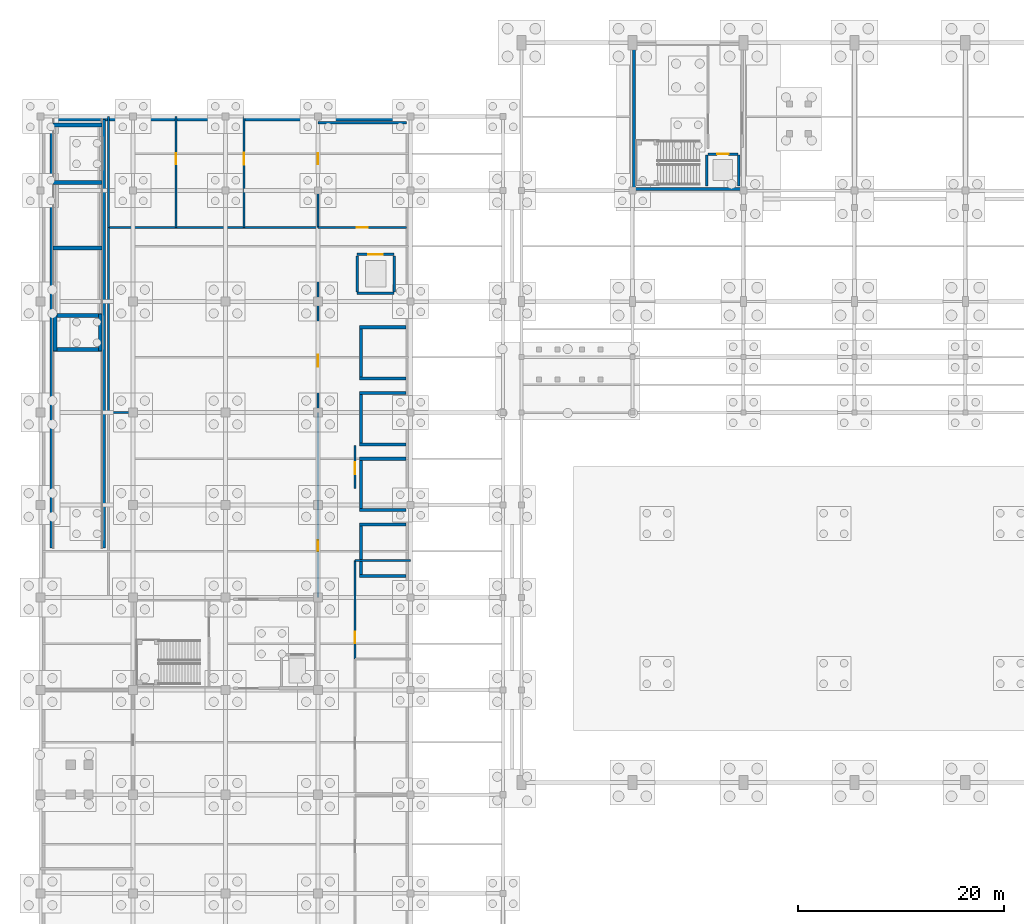
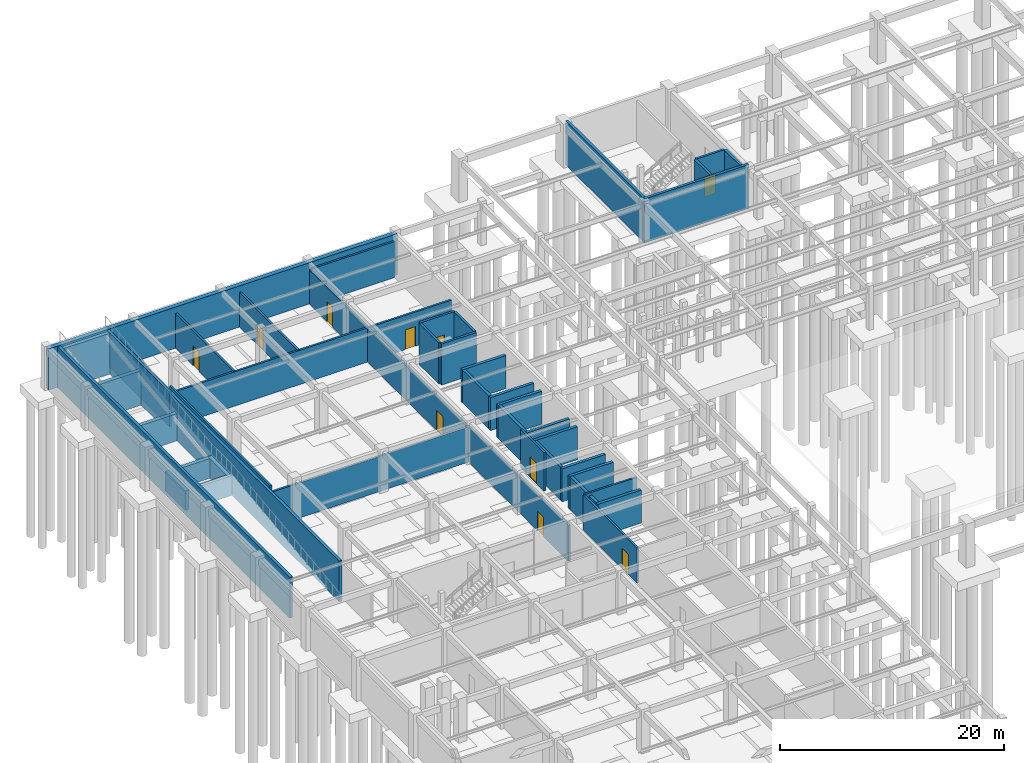
# One storey, part 26 of 33: 45 walls, 10 doors, 10 openings.
"""IFC4 building model written with IfcOpenShell, lengths in metres."""

from ifc_helpers import new_model, si_unit, direction, frame, frame_2d, origin, place, context, subcontext, project, spatial, rectangle, extrude, material, layer, layer_set, type_object, element, fill, save


model = new_model("IFC4")

# Units and contexts
model_context = context("Model", 3, precision=1e-05, world=origin(), true_north=direction((0.0, 1.0)))
body_context = subcontext(model_context, "Body", "Model", "MODEL_VIEW")
ifc_project = project(units=[si_unit("LENGTHUNIT", "METRE"), si_unit("AREAUNIT", "SQUARE_METRE"), si_unit("VOLUMEUNIT", "CUBIC_METRE"), si_unit("PLANEANGLEUNIT", "RADIAN"), si_unit("MASSUNIT", "GRAM", prefix="KILO")], contexts=[model_context])

# Site, building, storey
site_placement = place(None, origin())
site = spatial("IfcSite", under=ifc_project, at=site_placement, CompositionType="ELEMENT")
building_placement = place(site_placement, origin())
building = spatial("IfcBuilding", under=site, at=building_placement, Name="Suirenkawa Promenade Aquatics Centre", CompositionType="ELEMENT")
storey_placement = place(building_placement, frame((0.0, 0.0, -4.800048828125)))
storey = spatial("IfcBuildingStorey", under=building, at=storey_placement, Name="B1", CompositionType="ELEMENT", Elevation=-4.800048828125)

# Wall, opening, door
ifc_material_1 = material(Name="Autoclaved aerated concrete blockwork Grade 1", Category="masonry")
ifc_layer_1 = layer(ifc_material_1, 0.199951171875, Name="Autoclaved aerated concrete blockwork Grade 1", Category="masonry")
ifc_layer_set_1 = layer_set([ifc_layer_1], Name="Autoclaved aerated concrete blockwork Grade 1")
wall_type_1 = type_object("IfcWallType", Name="WT-COMP-200", PredefinedType="PARTITIONING", material=ifc_layer_set_1)
wall_1_placement = place(storey_placement, frame((30.60009765625, 79.0, 0.0), z_axis=(0.0, 0.0, 1.0), x_axis=(0.0, 1.0, 0.0)))
wall_1 = element("IfcWall", 1, at=wall_1_placement, inside=storey, type_object=wall_type_1, Name="Interior wall WL-PRT-01 W-7163", PredefinedType="PARTITIONING", context=body_context, shape_type="SweptSolid", body=[
    extrude(rectangle(XDim=4.199951171875, YDim=0.199951171875, at=frame_2d((2.10009765625, 0.0))), origin(), (0.0, 0.0, 1.0), 4.18310546875),
])
opening_1_placement = place(wall_1_placement, frame((1.39990234375, 0.0, 0.0)))
opening_1 = element("IfcOpeningElement", 2, at=opening_1_placement, cuts=wall_1, Name="Opening ID-03", PredefinedType="OPENING", context=body_context, shape_type="SweptSolid", body=[
    extrude(rectangle(XDim=1.14990234375, YDim=2.199951171875, at=frame_2d((0.574951171875, 1.10009765625))), frame((0.0, 0.10986328125, 0.0), z_axis=(0.0, -1.0, 0.0), x_axis=(1.0, 0.0, 0.0)), (0.0, 0.0, 1.0), 0.219970703125),
])
ifc_material_2 = material(Name="Steel IS 2062 E350 (Grade 350)", Category="steel")
door_type_1 = type_object("IfcDoorType", Name="DT-FD120-1150x2200", OperationType="NOTDEFINED", PredefinedType="DOOR", material=ifc_material_2)
door_1_placement = place(opening_1_placement, origin())
door_1 = element("IfcDoor", 3, at=door_1_placement, inside=storey, type_object=door_type_1, Name="Interior door ID-03 DR-INT-0100", OperationType="SINGLE_SWING_RIGHT", OverallHeight=2.199951171875, OverallWidth=1.14990234375, PredefinedType="DOOR", context=body_context, shape_type="SweptSolid", body=[
    extrude(rectangle(XDim=1.14990234375, YDim=2.199951171875, at=frame_2d((0.574951171875, 1.10009765625))), frame((0.0, 0.02490234375, 0.0), z_axis=(0.0, -1.0, 0.0), x_axis=(1.0, 0.0, 0.0)), (0.0, 0.0, 1.0), 0.050048828125),
])
fill(opening_1, door_1)

wall_2_placement = place(storey_placement, frame((30.60009765625, 62.39990234375, 0.0), z_axis=(0.0, 0.0, 1.0), x_axis=(0.0, 1.0, 0.0)))
wall_2 = element("IfcWall", 4, at=wall_2_placement, inside=storey, type_object=wall_type_1, Name="Interior wall WL-PRT-01 W-7195", PredefinedType="PARTITIONING", context=body_context, shape_type="SweptSolid", body=[
    extrude(rectangle(XDim=9.60009765625, YDim=0.199951171875, at=frame_2d((4.800048828125, 0.0))), origin(), (0.0, 0.0, 1.0), 3.8349609375),
])
opening_2_placement = place(wall_2_placement, frame((1.537109375, 0.0, 0.0)))
opening_2 = element("IfcOpeningElement", 5, at=opening_2_placement, cuts=wall_2, Name="Opening ID-03", PredefinedType="OPENING", context=body_context, shape_type="SweptSolid", body=[
    extrude(rectangle(XDim=1.14990234375, YDim=2.199951171875, at=frame_2d((0.574951171875, 1.10009765625))), frame((0.0, 0.10986328125, 0.0), z_axis=(0.0, -1.0, 0.0), x_axis=(1.0, 0.0, 0.0)), (0.0, 0.0, 1.0), 0.219970703125),
])
door_2_placement = place(opening_2_placement, origin())
door_2 = element("IfcDoor", 6, at=door_2_placement, inside=storey, type_object=door_type_1, Name="Interior door ID-03 DR-INT-0125", OperationType="SINGLE_SWING_RIGHT", OverallHeight=2.199951171875, OverallWidth=1.14990234375, PredefinedType="DOOR", context=body_context, shape_type="SweptSolid", body=[
    extrude(rectangle(XDim=1.14990234375, YDim=2.199951171875, at=frame_2d((0.574951171875, 1.10009765625))), frame((0.0, 0.02490234375, 0.0), z_axis=(0.0, -1.0, 0.0), x_axis=(1.0, 0.0, 0.0)), (0.0, 0.0, 1.0), 0.050048828125),
])
fill(opening_2, door_2)

# Wall
wall_3_placement = place(storey_placement, frame((30.60009765625, 72.0, 0.0), z_axis=(0.0, 0.0, 1.0), x_axis=(1.0, 0.0, 0.0)))
element("IfcWall", 7, at=wall_3_placement, inside=storey, type_object=wall_type_1, Name="Interior wall WL-PRT-01 W-7196", PredefinedType="PARTITIONING", context=body_context, shape_type="SweptSolid", body=[
    extrude(rectangle(XDim=5.39990234375, YDim=0.199951171875, at=frame_2d((2.699951171875, 0.0))), origin(), (0.0, 0.0, 1.0), 3.885009765625),
])

# Wall, opening, door
wall_4_placement = place(storey_placement, frame((27.0, 68.39990234375, 0.0), z_axis=(0.0, 0.0, 1.0), x_axis=(0.0, 1.0, 0.0)))
wall_4 = element("IfcWall", 8, at=wall_4_placement, inside=storey, type_object=wall_type_1, Name="Interior wall WL-PRT-01 W-7197", PredefinedType="PARTITIONING", context=body_context, shape_type="SweptSolid", body=[
    extrude(rectangle(XDim=18.0, YDim=0.199951171875, at=frame_2d((9.0, 0.0))), origin(), (0.0, 0.0, 1.0), 3.885009765625),
])
opening_3_placement = place(wall_4_placement, frame((4.514892578125, 0.0, 0.0)))
opening_3 = element("IfcOpeningElement", 9, at=opening_3_placement, cuts=wall_4, Name="Opening ID-04", PredefinedType="OPENING", context=body_context, shape_type="SweptSolid", body=[
    extrude(rectangle(XDim=1.050048828125, YDim=2.14990234375, at=frame_2d((0.52490234375, 1.074951171875))), frame((0.0, 0.10986328125, 0.0), z_axis=(0.0, -1.0, 0.0), x_axis=(1.0, 0.0, 0.0)), (0.0, 0.0, 1.0), 0.219970703125),
])
door_type_2 = type_object("IfcDoorType", Name="DT-FD120-1050x2150", OperationType="NOTDEFINED", PredefinedType="DOOR", material=ifc_material_2)
door_3_placement = place(opening_3_placement, origin())
door_3 = element("IfcDoor", 10, at=door_3_placement, inside=storey, type_object=door_type_2, Name="Interior door ID-04 DR-INT-0126", OperationType="SINGLE_SWING_LEFT", OverallHeight=2.14990234375, OverallWidth=1.050048828125, PredefinedType="DOOR", context=body_context, shape_type="SweptSolid", body=[
    extrude(rectangle(XDim=1.050048828125, YDim=2.14990234375, at=frame_2d((0.52490234375, 1.074951171875))), frame((0.0, 0.02490234375, 0.0), z_axis=(0.0, -1.0, 0.0), x_axis=(1.0, 0.0, 0.0)), (0.0, 0.0, 1.0), 0.050048828125),
])
fill(opening_3, door_3)

# Wall
wall_5_placement = place(storey_placement, frame((6.60009765625, 86.39990234375, 0.0), z_axis=(0.0, 0.0, 1.0), x_axis=(1.0, 0.0, 0.0)))
element("IfcWall", 11, at=wall_5_placement, inside=storey, type_object=wall_type_1, Name="Interior wall WL-PRT-01 W-7198", PredefinedType="PARTITIONING", context=body_context, shape_type="SweptSolid", body=[
    extrude(rectangle(XDim=20.39990234375, YDim=0.199951171875, at=frame_2d((10.199951171875, 0.0))), origin(), (0.0, 0.0, 1.0), 3.8349609375),
])

# Wall, opening, door
wall_6_placement = place(storey_placement, frame((27.0, 86.39990234375, 0.0), z_axis=(0.0, 0.0, 1.0), x_axis=(0.0, 1.0, 0.0)))
wall_6 = element("IfcWall", 12, at=wall_6_placement, inside=storey, type_object=wall_type_1, Name="Interior wall WL-PRT-01 W-7200", PredefinedType="PARTITIONING", context=body_context, shape_type="SweptSolid", body=[
    extrude(rectangle(XDim=18.0, YDim=0.199951171875, at=frame_2d((9.0, 0.0))), origin(), (0.0, 0.0, 1.0), 3.735107421875),
])
opening_4_placement = place(wall_6_placement, frame((4.465087890625, 0.0, 0.0)))
opening_4 = element("IfcOpeningElement", 13, at=opening_4_placement, cuts=wall_6, Name="Opening ID-03", PredefinedType="OPENING", context=body_context, shape_type="SweptSolid", body=[
    extrude(rectangle(XDim=1.14990234375, YDim=2.199951171875, at=frame_2d((0.574951171875, 1.10009765625))), frame((0.0, 0.10986328125, 0.0), z_axis=(0.0, -1.0, 0.0), x_axis=(1.0, 0.0, 0.0)), (0.0, 0.0, 1.0), 0.219970703125),
])
door_4_placement = place(opening_4_placement, origin())
door_4 = element("IfcDoor", 14, at=door_4_placement, inside=storey, type_object=door_type_1, Name="Interior door ID-03 DR-INT-0127", OperationType="SINGLE_SWING_RIGHT", OverallHeight=2.199951171875, OverallWidth=1.14990234375, PredefinedType="DOOR", context=body_context, shape_type="SweptSolid", body=[
    extrude(rectangle(XDim=1.14990234375, YDim=2.199951171875, at=frame_2d((0.574951171875, 1.10009765625))), frame((0.0, 0.02490234375, 0.0), z_axis=(0.0, -1.0, 0.0), x_axis=(1.0, 0.0, 0.0)), (0.0, 0.0, 1.0), 0.050048828125),
])
fill(opening_4, door_4)

# Walls
wall_7_placement = place(storey_placement, frame((6.60009765625, 104.39990234375, 0.0), z_axis=(0.0, 0.0, 1.0), x_axis=(1.0, 0.0, 0.0)))
element("IfcWall", 15, at=wall_7_placement, inside=storey, type_object=wall_type_1, Name="Interior wall WL-PRT-01 W-7201", PredefinedType="PARTITIONING", context=body_context, shape_type="SweptSolid", body=[
    extrude(rectangle(XDim=20.39990234375, YDim=0.199951171875, at=frame_2d((10.199951171875, 0.0))), origin(), (0.0, 0.0, 1.0), 3.735107421875),
])
wall_8_placement = place(storey_placement, frame((6.60009765625, 86.39990234375, 0.0), z_axis=(0.0, 0.0, 1.0), x_axis=(0.0, 1.0, 0.0)))
element("IfcWall", 16, at=wall_8_placement, inside=storey, type_object=wall_type_1, Name="Interior wall WL-PRT-01 W-7202", PredefinedType="PARTITIONING", context=body_context, shape_type="SweptSolid", body=[
    extrude(rectangle(XDim=18.0, YDim=0.199951171875, at=frame_2d((9.0, 0.0))), origin(), (0.0, 0.0, 1.0), 4.485107421875),
])

# Wall, opening, door
wall_9_placement = place(storey_placement, frame((13.199951171875, 104.39990234375, 0.0), z_axis=(0.0, 0.0, 1.0), x_axis=(0.0, 1.0, 0.0)))
wall_9 = element("IfcWall", 17, at=wall_9_placement, inside=storey, type_object=wall_type_1, Name="Interior wall WL-PRT-01 W-7203", PredefinedType="PARTITIONING", context=body_context, shape_type="SweptSolid", body=[
    extrude(rectangle(XDim=10.800048828125, YDim=0.199951171875, at=frame_2d((5.39990234375, 0.0))), origin(), (0.0, 0.0, 1.0), 3.78515625),
])
opening_5_placement = place(wall_9_placement, frame((6.1708984375, 0.0, 0.0)))
opening_5 = element("IfcOpeningElement", 18, at=opening_5_placement, cuts=wall_9, Name="Opening ID-04", PredefinedType="OPENING", context=body_context, shape_type="SweptSolid", body=[
    extrude(rectangle(XDim=1.050048828125, YDim=2.14990234375, at=frame_2d((0.52490234375, 1.074951171875))), frame((0.0, 0.10986328125, 0.0), z_axis=(0.0, -1.0, 0.0), x_axis=(1.0, 0.0, 0.0)), (0.0, 0.0, 1.0), 0.219970703125),
])
door_5_placement = place(opening_5_placement, origin())
door_5 = element("IfcDoor", 19, at=door_5_placement, inside=storey, type_object=door_type_2, Name="Interior door ID-04 DR-INT-0128", OperationType="SINGLE_SWING_LEFT", OverallHeight=2.14990234375, OverallWidth=1.050048828125, PredefinedType="DOOR", context=body_context, shape_type="SweptSolid", body=[
    extrude(rectangle(XDim=1.050048828125, YDim=2.14990234375, at=frame_2d((0.52490234375, 1.074951171875))), frame((0.0, 0.02490234375, 0.0), z_axis=(0.0, -1.0, 0.0), x_axis=(1.0, 0.0, 0.0)), (0.0, 0.0, 1.0), 0.050048828125),
])
fill(opening_5, door_5)

# Wall
wall_10_placement = place(storey_placement, frame((6.60009765625, 104.39990234375, 0.0), z_axis=(0.0, 0.0, 1.0), x_axis=(0.0, 1.0, 0.0)))
element("IfcWall", 20, at=wall_10_placement, inside=storey, type_object=wall_type_1, Name="Interior wall WL-PRT-01 W-7204", PredefinedType="PARTITIONING", context=body_context, shape_type="SweptSolid", body=[
    extrude(rectangle(XDim=10.800048828125, YDim=0.199951171875, at=frame_2d((5.39990234375, 0.0))), origin(), (0.0, 0.0, 1.0), 3.78515625),
])

# Wall, opening, door
wall_11_placement = place(storey_placement, frame((19.800048828125, 104.39990234375, 0.0), z_axis=(0.0, 0.0, 1.0), x_axis=(0.0, 1.0, 0.0)))
wall_11 = element("IfcWall", 21, at=wall_11_placement, inside=storey, type_object=wall_type_1, Name="Interior wall WL-PRT-01 W-7205", PredefinedType="PARTITIONING", context=body_context, shape_type="SweptSolid", body=[
    extrude(rectangle(XDim=10.800048828125, YDim=0.199951171875, at=frame_2d((5.39990234375, 0.0))), origin(), (0.0, 0.0, 1.0), 3.78515625),
])
opening_6_placement = place(wall_11_placement, frame((6.12109375, 0.0, 0.0)))
opening_6 = element("IfcOpeningElement", 22, at=opening_6_placement, cuts=wall_11, Name="Opening ID-03", PredefinedType="OPENING", context=body_context, shape_type="SweptSolid", body=[
    extrude(rectangle(XDim=1.14990234375, YDim=2.199951171875, at=frame_2d((0.574951171875, 1.10009765625))), frame((0.0, 0.10986328125, 0.0), z_axis=(0.0, -1.0, 0.0), x_axis=(1.0, 0.0, 0.0)), (0.0, 0.0, 1.0), 0.219970703125),
])
door_6_placement = place(opening_6_placement, origin())
door_6 = element("IfcDoor", 23, at=door_6_placement, inside=storey, type_object=door_type_1, Name="Interior door ID-03 DR-INT-0129", OperationType="SINGLE_SWING_RIGHT", OverallHeight=2.199951171875, OverallWidth=1.14990234375, PredefinedType="DOOR", context=body_context, shape_type="SweptSolid", body=[
    extrude(rectangle(XDim=1.14990234375, YDim=2.199951171875, at=frame_2d((0.574951171875, 1.10009765625))), frame((0.0, 0.02490234375, 0.0), z_axis=(0.0, -1.0, 0.0), x_axis=(1.0, 0.0, 0.0)), (0.0, 0.0, 1.0), 0.050048828125),
])
fill(opening_6, door_6)

wall_12_placement = place(storey_placement, frame((27.0, 104.39990234375, 0.0), z_axis=(0.0, 0.0, 1.0), x_axis=(0.0, 1.0, 0.0)))
wall_12 = element("IfcWall", 24, at=wall_12_placement, inside=storey, type_object=wall_type_1, Name="Interior wall WL-PRT-01 W-7206", PredefinedType="PARTITIONING", context=body_context, shape_type="SweptSolid", body=[
    extrude(rectangle(XDim=10.800048828125, YDim=0.199951171875, at=frame_2d((5.39990234375, 0.0))), origin(), (0.0, 0.0, 1.0), 3.735107421875),
])
opening_7_placement = place(wall_12_placement, frame((6.1708984375, 0.0, 0.0)))
opening_7 = element("IfcOpeningElement", 25, at=opening_7_placement, cuts=wall_12, Name="Opening ID-04", PredefinedType="OPENING", context=body_context, shape_type="SweptSolid", body=[
    extrude(rectangle(XDim=1.050048828125, YDim=2.14990234375, at=frame_2d((0.52490234375, 1.074951171875))), frame((0.0, 0.10986328125, 0.0), z_axis=(0.0, -1.0, 0.0), x_axis=(1.0, 0.0, 0.0)), (0.0, 0.0, 1.0), 0.219970703125),
])
door_7_placement = place(opening_7_placement, origin())
door_7 = element("IfcDoor", 26, at=door_7_placement, inside=storey, type_object=door_type_2, Name="Interior door ID-04 DR-INT-0130", OperationType="SINGLE_SWING_LEFT", OverallHeight=2.14990234375, OverallWidth=1.050048828125, PredefinedType="DOOR", context=body_context, shape_type="SweptSolid", body=[
    extrude(rectangle(XDim=1.050048828125, YDim=2.14990234375, at=frame_2d((0.52490234375, 1.074951171875))), frame((0.0, 0.02490234375, 0.0), z_axis=(0.0, -1.0, 0.0), x_axis=(1.0, 0.0, 0.0)), (0.0, 0.0, 1.0), 0.050048828125),
])
fill(opening_7, door_7)

wall_13_placement = place(storey_placement, frame((27.0, 104.39990234375, 0.0), z_axis=(0.0, 0.0, 1.0), x_axis=(1.0, 0.0, 0.0)))
wall_13 = element("IfcWall", 27, at=wall_13_placement, inside=storey, type_object=wall_type_1, Name="Interior wall WL-PRT-01 W-7207", PredefinedType="PARTITIONING", context=body_context, shape_type="SweptSolid", body=[
    extrude(rectangle(XDim=8.60009765625, YDim=0.199951171875, at=frame_2d((4.300048828125, 0.0))), origin(), (0.0, 0.0, 1.0), 3.735107421875),
])
opening_8_placement = place(wall_13_placement, frame((3.77490234375, 0.0, 0.0)))
opening_8 = element("IfcOpeningElement", 28, at=opening_8_placement, cuts=wall_13, Name="Opening ID-04", PredefinedType="OPENING", context=body_context, shape_type="SweptSolid", body=[
    extrude(rectangle(XDim=1.050048828125, YDim=2.14990234375, at=frame_2d((0.52490234375, 1.074951171875))), frame((0.0, 0.10986328125, 0.0), z_axis=(0.0, -1.0, 0.0), x_axis=(1.0, 0.0, 0.0)), (0.0, 0.0, 1.0), 0.219970703125),
])
door_8_placement = place(opening_8_placement, origin())
door_8 = element("IfcDoor", 29, at=door_8_placement, inside=storey, type_object=door_type_2, Name="Interior door ID-04 DR-INT-0131", OperationType="SINGLE_SWING_RIGHT", OverallHeight=2.14990234375, OverallWidth=1.050048828125, PredefinedType="DOOR", context=body_context, shape_type="SweptSolid", body=[
    extrude(rectangle(XDim=1.050048828125, YDim=2.14990234375, at=frame_2d((0.52490234375, 1.074951171875))), frame((0.0, 0.02490234375, 0.0), z_axis=(0.0, -1.0, 0.0), x_axis=(1.0, 0.0, 0.0)), (0.0, 0.0, 1.0), 0.050048828125),
])
fill(opening_8, door_8)

# Walls
wall_14_placement = place(storey_placement, frame((27.0, 114.60009765625, 0.0), z_axis=(0.0, 0.0, 1.0), x_axis=(1.0, 0.0, 0.0)))
element("IfcWall", 30, at=wall_14_placement, inside=storey, type_object=wall_type_1, Name="Interior wall WL-PRT-01 W-7208", PredefinedType="PARTITIONING", context=body_context, shape_type="SweptSolid", body=[
    extrude(rectangle(XDim=8.60009765625, YDim=0.199951171875, at=frame_2d((4.300048828125, 0.0))), origin(), (0.0, 0.0, 1.0), 3.93505859375),
])
ifc_material_3 = material(Name="Concrete M40", Category="concrete")
ifc_layer_2 = layer(ifc_material_3, 0.280029296875, Name="Concrete M40", Category="concrete")
ifc_layer_set_2 = layer_set([ifc_layer_2], Name="Concrete M40")
wall_type_2 = type_object("IfcWallType", Name="WT-CORE-280", PredefinedType="SHEAR", material=ifc_layer_set_2)
wall_15_placement = place(storey_placement, frame((57.60009765625, 108.139892578125, 0.0), z_axis=(0.0, 0.0, 1.0), x_axis=(1.0, 0.0, 0.0)))
element("IfcWall", 31, at=wall_15_placement, inside=storey, type_object=wall_type_2, Name="C3 south core wall WL-CORE-02 W-0110", PredefinedType="SHEAR", context=body_context, shape_type="SweptSolid", body=[
    extrude(rectangle(XDim=10.7998046875, YDim=0.280029296875, at=frame_2d((5.39990234375, 0.0))), origin(), (0.0, 0.0, 1.0), 4.800048828125),
])
wall_16_placement = place(storey_placement, frame((57.739990234375, 108.280029296875, 0.0), z_axis=(0.0, 0.0, 1.0), x_axis=(0.0, 1.0, 0.0)))
element("IfcWall", 32, at=wall_16_placement, inside=storey, type_object=wall_type_2, Name="C3 west core wall WL-CORE-02 W-0112", PredefinedType="SHEAR", context=body_context, shape_type="SweptSolid", body=[
    extrude(rectangle(XDim=13.840087890625, YDim=0.280029296875, at=frame_2d((6.919921875, 0.0))), origin(), (0.0, 0.0, 1.0), 4.800048828125),
])
ifc_material_4 = material(Name="Waterproof concrete M40", Category="concrete")
ifc_layer_3 = layer(ifc_material_4, 0.449951171875, Name="Waterproof concrete M40", Category="concrete")
ifc_layer_set_3 = layer_set([ifc_layer_3], Name="Waterproof concrete M40")
wall_type_3 = type_object("IfcWallType", Name="WT-RET-450", PredefinedType="USERDEFINED", material=ifc_layer_set_3)
wall_17_placement = place(storey_placement, frame((0.0, 114.97509765625, 0.0), z_axis=(0.0, 0.0, 1.0), x_axis=(1.0, 0.0, 0.0)))
element("IfcWall", 33, at=wall_17_placement, inside=storey, type_object=wall_type_3, Name="Basement retaining wall WL-RET-01 W-0002", ObjectType="RETAININGWALL", PredefinedType="USERDEFINED", context=body_context, shape_type="SweptSolid", body=[
    extrude(rectangle(XDim=36.0, YDim=0.449951171875, at=frame_2d((18.0, 0.0))), origin(), (0.0, 0.0, 1.0), 4.5),
])

# Wall, opening, door
ifc_layer_4 = layer(ifc_material_3, 0.239990234375, Name="Concrete M40", Category="concrete")
ifc_layer_set_4 = layer_set([ifc_layer_4], Name="Concrete M40")
wall_type_4 = type_object("IfcWallType", Name="WT-SHAFT-240", PredefinedType="SOLIDWALL", material=ifc_layer_set_4)
wall_18_placement = place(storey_placement, frame((64.949951171875, 111.550048828125, 0.0), z_axis=(0.0, 0.0, 1.0), x_axis=(1.0, 0.0, 0.0)))
wall_18 = element("IfcWall", 34, at=wall_18_placement, inside=storey, type_object=wall_type_4, Name="Interior wall WL-SHF-01 W-7073", PredefinedType="SOLIDWALL", context=body_context, shape_type="SweptSolid", body=[
    extrude(rectangle(XDim=2.900146484375, YDim=0.239990234375, at=frame_2d((1.4501953125, 0.0))), origin(), (0.0, 0.0, 1.0), 4.505126953125),
])
opening_9_placement = place(wall_18_placement, frame((0.89990234375, 0.0, 0.0)))
opening_9 = element("IfcOpeningElement", 35, at=opening_9_placement, cuts=wall_18, Name="Opening LD-01", PredefinedType="OPENING", context=body_context, shape_type="SweptSolid", body=[
    extrude(rectangle(XDim=1.10009765625, YDim=2.14990234375, at=frame_2d((0.550048828125, 1.074951171875))), frame((0.0, 0.1298828125, 0.0), z_axis=(0.0, -1.0, 0.0), x_axis=(1.0, 0.0, 0.0)), (0.0, 0.0, 1.0), 0.260009765625),
])
ifc_material_5 = material(Name="Marine-grade stainless steel Grade 316L", Category="steel")
door_type_3 = type_object("IfcDoorType", Name="DT-LIFT-1100x2150", OperationType="DOUBLE_DOOR_SLIDING", PredefinedType="DOOR", material=ifc_material_5)
door_9_placement = place(opening_9_placement, origin())
door_9 = element("IfcDoor", 36, at=door_9_placement, inside=storey, type_object=door_type_3, Name="Landing door LD-01 DR-INT-0049", OperationType="DOUBLE_DOOR_SLIDING", OverallHeight=2.14990234375, OverallWidth=1.10009765625, PredefinedType="DOOR", context=body_context, shape_type="SweptSolid", body=[
    extrude(rectangle(XDim=1.10009765625, YDim=2.14990234375, at=frame_2d((0.550048828125, 1.074951171875))), frame((0.0, 0.02490234375, 0.0), z_axis=(0.0, -1.0, 0.0), x_axis=(1.0, 0.0, 0.0)), (0.0, 0.0, 1.0), 0.050048828125),
])
fill(opening_9, door_9)

# Walls
for number, where, z_axis, x_axis, name in (
    (37, (64.85009765625, 108.449951171875, 0.0), (0.0, 0.0, 1.0), (0.0, 1.0, 0.0), "Interior wall WL-SHF-01 W-7074"),
    (38, (67.949951171875, 108.449951171875, 0.0), (0.0, 0.0, 1.0), (0.0, 1.0, 0.0), "Interior wall WL-SHF-01 W-7075"),
):
    element("IfcWall", number, at=place(storey_placement, frame(where, z_axis=z_axis, x_axis=x_axis)), inside=storey, type_object=wall_type_4, Name=name, PredefinedType="SOLIDWALL", context=body_context, shape_type="SweptSolid", body=[
        extrude(rectangle(XDim=3.0, YDim=0.239990234375, at=frame_2d((1.5, 0.0))), origin(), (0.0, 0.0, 1.0), 4.505126953125),
    ])

# Wall, opening, door
wall_19_placement = place(storey_placement, frame((30.800048828125, 101.800048828125, 0.0), z_axis=(0.0, 0.0, 1.0), x_axis=(1.0, 0.0, 0.0)))
wall_19 = element("IfcWall", 39, at=wall_19_placement, inside=storey, type_object=wall_type_4, Name="Interior wall WL-SHF-01 W-7151", PredefinedType="SOLIDWALL", context=body_context, shape_type="SweptSolid", body=[
    extrude(rectangle(XDim=3.599853515625, YDim=0.239990234375, at=frame_2d((1.7998046875, 0.0))), origin(), (0.0, 0.0, 1.0), 4.485107421875),
])
opening_10_placement = place(wall_19_placement, frame((1.10009765625, 0.0, 0.0)))
opening_10 = element("IfcOpeningElement", 40, at=opening_10_placement, cuts=wall_19, Name="Opening LD-03", PredefinedType="OPENING", context=body_context, shape_type="SweptSolid", body=[
    extrude(rectangle(XDim=1.39990234375, YDim=2.300048828125, at=frame_2d((0.699951171875, 1.14990234375))), frame((0.0, 0.1298828125, 0.0), z_axis=(0.0, -1.0, 0.0), x_axis=(1.0, 0.0, 0.0)), (0.0, 0.0, 1.0), 0.260009765625),
])
door_type_4 = type_object("IfcDoorType", Name="DT-LIFT-1400x2300", OperationType="DOUBLE_DOOR_SLIDING", PredefinedType="DOOR", material=ifc_material_5)
door_10_placement = place(opening_10_placement, origin())
door_10 = element("IfcDoor", 41, at=door_10_placement, inside=storey, type_object=door_type_4, Name="Landing door LD-03 DR-INT-0097", OperationType="DOUBLE_DOOR_SLIDING", OverallHeight=2.300048828125, OverallWidth=1.39990234375, PredefinedType="DOOR", context=body_context, shape_type="SweptSolid", body=[
    extrude(rectangle(XDim=1.39990234375, YDim=2.300048828125, at=frame_2d((0.699951171875, 1.14990234375))), frame((0.0, 0.02490234375, 0.0), z_axis=(0.0, -1.0, 0.0), x_axis=(1.0, 0.0, 0.0)), (0.0, 0.0, 1.0), 0.050048828125),
])
fill(opening_10, door_10)

# Walls
wall_20_placement = place(storey_placement, frame((30.800048828125, 98.0, 0.0), z_axis=(0.0, 0.0, 1.0), x_axis=(1.0, 0.0, 0.0)))
element("IfcWall", 42, at=wall_20_placement, inside=storey, type_object=wall_type_4, Name="Interior wall WL-SHF-01 W-7152", PredefinedType="SOLIDWALL", context=body_context, shape_type="SweptSolid", body=[
    extrude(rectangle(XDim=3.599853515625, YDim=0.239990234375, at=frame_2d((1.7998046875, 0.0))), origin(), (0.0, 0.0, 1.0), 4.485107421875),
])
for number, where, z_axis, x_axis, name in (
    (43, (30.800048828125, 98.14990234375, 0.0), (0.0, 0.0, 1.0), (0.0, 1.0, 0.0), "Interior wall WL-SHF-01 W-7153"),
    (44, (34.39990234375, 98.14990234375, 0.0), (0.0, 0.0, 1.0), (0.0, 1.0, 0.0), "Interior wall WL-SHF-01 W-7154"),
):
    element("IfcWall", number, at=place(storey_placement, frame(where, z_axis=z_axis, x_axis=x_axis)), inside=storey, type_object=wall_type_4, Name=name, PredefinedType="SOLIDWALL", context=body_context, shape_type="SweptSolid", body=[
        extrude(rectangle(XDim=3.5, YDim=0.239990234375, at=frame_2d((1.75, 0.0))), origin(), (0.0, 0.0, 1.0), 4.485107421875),
    ])
ifc_layer_5 = layer(ifc_material_3, 0.3798828125, Name="Concrete M40", Category="concrete")
ifc_layer_set_5 = layer_set([ifc_layer_5], Name="Concrete M40")
wall_type_5 = type_object("IfcWallType", Name="WT-SHEAR-380", PredefinedType="SHEAR", material=ifc_layer_set_5)
wall_21_placement = place(storey_placement, frame((1.199951171875, 114.39990234375, 0.0), z_axis=(0.0, 0.0, 1.0), x_axis=(1.0, 0.0, 0.0)))
element("IfcWall", 45, at=wall_21_placement, inside=storey, type_object=wall_type_5, Name="Ramp upper support wall W-RMP-04", PredefinedType="SHEAR", context=body_context, shape_type="SweptSolid", body=[
    extrude(rectangle(XDim=4.800048828125, YDim=0.3798828125, at=frame_2d((2.39990234375, 0.0))), origin(), (0.0, 0.0, 1.0), 4.445068359375),
])
wall_22_placement = place(storey_placement, frame((1.199951171875, 102.39990234375, 0.0), z_axis=(0.0, 0.0, 1.0), x_axis=(1.0, 0.0, 0.0)))
element("IfcWall", 46, at=wall_22_placement, inside=storey, type_object=wall_type_5, Name="Ramp upper support wall W-RMP-06", PredefinedType="SHEAR", context=body_context, shape_type="SweptSolid", body=[
    extrude(rectangle(XDim=4.800048828125, YDim=0.3798828125, at=frame_2d((2.39990234375, 0.0))), origin(), (0.0, 0.0, 1.0), 2.9599609375),
])
wall_23_placement = place(storey_placement, frame((1.199951171875, 108.800048828125, 0.0), z_axis=(0.0, 0.0, 1.0), x_axis=(1.0, 0.0, 0.0)))
element("IfcWall", 47, at=wall_23_placement, inside=storey, type_object=wall_type_5, Name="Ramp upper support wall W-RMP-07", PredefinedType="SHEAR", context=body_context, shape_type="SweptSolid", body=[
    extrude(rectangle(XDim=4.800048828125, YDim=0.3798828125, at=frame_2d((2.39990234375, 0.0))), origin(), (0.0, 0.0, 1.0), 3.760009765625),
])
for number, where, z_axis, x_axis, name in (
    (48, (1.389892578125, 92.39990234375, 0.0), (0.0, 0.0, 1.0), (0.0, 1.0, 0.0), "Ramp landing support wall W-RMP-01"),
    (49, (5.81005859375, 92.39990234375, 0.0), (0.0, 0.0, 1.0), (0.0, 1.0, 0.0), "Ramp landing support wall W-RMP-02"),
):
    element("IfcWall", number, at=place(storey_placement, frame(where, z_axis=z_axis, x_axis=x_axis)), inside=storey, type_object=wall_type_5, Name=name, PredefinedType="SHEAR", context=body_context, shape_type="SweptSolid", body=[
        extrude(rectangle(XDim=3.60009765625, YDim=0.3798828125, at=frame_2d((1.800048828125, 0.0))), origin(), (0.0, 0.0, 1.0), 2.150146484375),
    ])
for number, where, z_axis, x_axis, name in (
    (50, (1.199951171875, 92.550048828125, 0.0), (0.0, 0.0, 1.0), (1.0, 0.0, 0.0), "Ramp landing support wall W-RMP-03"),
    (51, (1.199951171875, 95.85009765625, 0.0), (0.0, 0.0, 1.0), (1.0, 0.0, 0.0), "Ramp landing support wall W-RMP-05"),
):
    element("IfcWall", number, at=place(storey_placement, frame(where, z_axis=z_axis, x_axis=x_axis)), inside=storey, type_object=wall_type_5, Name=name, PredefinedType="SHEAR", context=body_context, shape_type="SweptSolid", body=[
        extrude(rectangle(XDim=4.800048828125, YDim=0.3798828125, at=frame_2d((2.39990234375, 0.0))), origin(), (0.0, 0.0, 1.0), 2.150146484375),
    ])
ifc_layer_6 = layer(ifc_material_4, 0.300048828125, Name="Waterproof concrete M40", Category="concrete")
ifc_layer_set_6 = layer_set([ifc_layer_6], Name="Waterproof concrete M40")
wall_type_6 = type_object("IfcWallType", Name="WT-TANK-300", PredefinedType="USERDEFINED", material=ifc_layer_set_6)
for number, where, z_axis, x_axis, name in (
    (52, (31.050048828125, 70.5, 0.0), (0.0, 0.0, 1.0), (1.0, 0.0, 0.0), "Surge balance tank wall WL-RET-04 W-0005"),
    (53, (31.050048828125, 75.5, 0.0), (0.0, 0.0, 1.0), (1.0, 0.0, 0.0), "Surge balance tank wall WL-RET-04 W-0006"),
):
    element("IfcWall", number, at=place(storey_placement, frame(where, z_axis=z_axis, x_axis=x_axis)), inside=storey, type_object=wall_type_6, Name=name, ObjectType="RETAININGWALL", PredefinedType="USERDEFINED", context=body_context, shape_type="SweptSolid", body=[
        extrude(rectangle(XDim=4.5, YDim=0.300048828125, at=frame_2d((2.25, 0.0))), origin(), (0.0, 0.0, 1.0), 3.60009765625),
    ])
wall_24_placement = place(storey_placement, frame((31.199951171875, 70.64990234375, 0.0), z_axis=(0.0, 0.0, 1.0), x_axis=(0.0, 1.0, 0.0)))
element("IfcWall", 54, at=wall_24_placement, inside=storey, type_object=wall_type_6, Name="Surge balance tank wall WL-RET-04 W-0007", ObjectType="RETAININGWALL", PredefinedType="USERDEFINED", context=body_context, shape_type="SweptSolid", body=[
    extrude(rectangle(XDim=4.7001953125, YDim=0.300048828125, at=frame_2d((2.35009765625, 0.0))), origin(), (0.0, 0.0, 1.0), 3.60009765625),
])
for number, where, z_axis, x_axis, name in (
    (55, (31.050048828125, 76.89990234375, 0.0), (0.0, 0.0, 1.0), (1.0, 0.0, 0.0), "Surge balance tank wall WL-RET-04 W-0008"),
    (56, (31.050048828125, 81.89990234375, 0.0), (0.0, 0.0, 1.0), (1.0, 0.0, 0.0), "Surge balance tank wall WL-RET-04 W-0009"),
):
    element("IfcWall", number, at=place(storey_placement, frame(where, z_axis=z_axis, x_axis=x_axis)), inside=storey, type_object=wall_type_6, Name=name, ObjectType="RETAININGWALL", PredefinedType="USERDEFINED", context=body_context, shape_type="SweptSolid", body=[
        extrude(rectangle(XDim=4.5, YDim=0.300048828125, at=frame_2d((2.25, 0.0))), origin(), (0.0, 0.0, 1.0), 3.60009765625),
    ])
wall_25_placement = place(storey_placement, frame((31.199951171875, 77.050048828125, 0.0), z_axis=(0.0, 0.0, 1.0), x_axis=(0.0, 1.0, 0.0)))
element("IfcWall", 57, at=wall_25_placement, inside=storey, type_object=wall_type_6, Name="Surge balance tank wall WL-RET-04 W-0010", ObjectType="RETAININGWALL", PredefinedType="USERDEFINED", context=body_context, shape_type="SweptSolid", body=[
    extrude(rectangle(XDim=4.699951171875, YDim=0.300048828125, at=frame_2d((2.35009765625, 0.0))), origin(), (0.0, 0.0, 1.0), 3.60009765625),
])
for number, where, z_axis, x_axis, name in (
    (58, (31.050048828125, 83.300048828125, 0.0), (0.0, 0.0, 1.0), (1.0, 0.0, 0.0), "Surge balance tank wall WL-RET-04 W-0011"),
    (59, (31.050048828125, 88.300048828125, 0.0), (0.0, 0.0, 1.0), (1.0, 0.0, 0.0), "Surge balance tank wall WL-RET-04 W-0012"),
):
    element("IfcWall", number, at=place(storey_placement, frame(where, z_axis=z_axis, x_axis=x_axis)), inside=storey, type_object=wall_type_6, Name=name, ObjectType="RETAININGWALL", PredefinedType="USERDEFINED", context=body_context, shape_type="SweptSolid", body=[
        extrude(rectangle(XDim=4.5, YDim=0.300048828125, at=frame_2d((2.25, 0.0))), origin(), (0.0, 0.0, 1.0), 3.60009765625),
    ])
wall_26_placement = place(storey_placement, frame((31.199951171875, 83.449951171875, 0.0), z_axis=(0.0, 0.0, 1.0), x_axis=(0.0, 1.0, 0.0)))
element("IfcWall", 60, at=wall_26_placement, inside=storey, type_object=wall_type_6, Name="Surge balance tank wall WL-RET-04 W-0013", ObjectType="RETAININGWALL", PredefinedType="USERDEFINED", context=body_context, shape_type="SweptSolid", body=[
    extrude(rectangle(XDim=4.699951171875, YDim=0.300048828125, at=frame_2d((2.35009765625, 0.0))), origin(), (0.0, 0.0, 1.0), 3.60009765625),
])
for number, where, z_axis, x_axis, name in (
    (61, (31.050048828125, 89.699951171875, 0.0), (0.0, 0.0, 1.0), (1.0, 0.0, 0.0), "Surge balance tank wall WL-RET-04 W-0014"),
    (62, (31.050048828125, 94.699951171875, 0.0), (0.0, 0.0, 1.0), (1.0, 0.0, 0.0), "Surge balance tank wall WL-RET-04 W-0015"),
):
    element("IfcWall", number, at=place(storey_placement, frame(where, z_axis=z_axis, x_axis=x_axis)), inside=storey, type_object=wall_type_6, Name=name, ObjectType="RETAININGWALL", PredefinedType="USERDEFINED", context=body_context, shape_type="SweptSolid", body=[
        extrude(rectangle(XDim=4.5, YDim=0.300048828125, at=frame_2d((2.25, 0.0))), origin(), (0.0, 0.0, 1.0), 3.60009765625),
    ])
wall_27_placement = place(storey_placement, frame((31.199951171875, 89.85009765625, 0.0), z_axis=(0.0, 0.0, 1.0), x_axis=(0.0, 1.0, 0.0)))
element("IfcWall", 63, at=wall_27_placement, inside=storey, type_object=wall_type_6, Name="Surge balance tank wall WL-RET-04 W-0016", ObjectType="RETAININGWALL", PredefinedType="USERDEFINED", context=body_context, shape_type="SweptSolid", body=[
    extrude(rectangle(XDim=4.699951171875, YDim=0.300048828125, at=frame_2d((2.35009765625, 0.0))), origin(), (0.0, 0.0, 1.0), 3.60009765625),
])
for number, where, z_axis, x_axis, name in (
    (64, (1.050048828125, 73.199951171875, 0.0), (0.0, 0.0, 1.0), (0.0, 1.0, 0.0), "Vehicle ramp west structural wall WL-RET-04 W-0047"),
    (65, (6.14990234375, 73.199951171875, 0.0), (0.0, 0.0, 1.0), (0.0, 1.0, 0.0), "Vehicle ramp east structural wall WL-RET-04 W-0048"),
):
    element("IfcWall", number, at=place(storey_placement, frame(where, z_axis=z_axis, x_axis=x_axis)), inside=storey, type_object=wall_type_6, Name=name, ObjectType="RETAININGWALL", PredefinedType="USERDEFINED", context=body_context, shape_type="SweptSolid", body=[
        extrude(rectangle(XDim=41.699951171875, YDim=0.300048828125, at=frame_2d((20.85009765625, 0.0))), origin(), (0.0, 0.0, 1.0), 4.449951171875),
    ])

save(model, "model.ifc")
